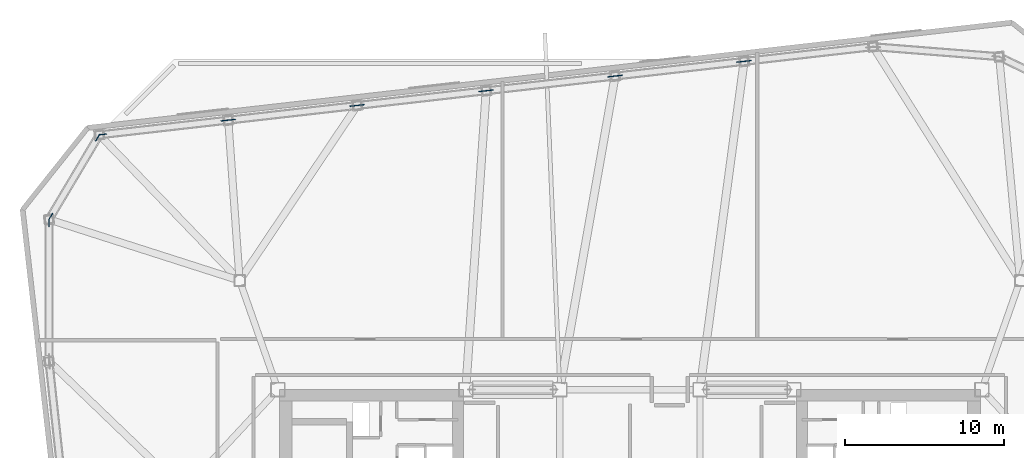
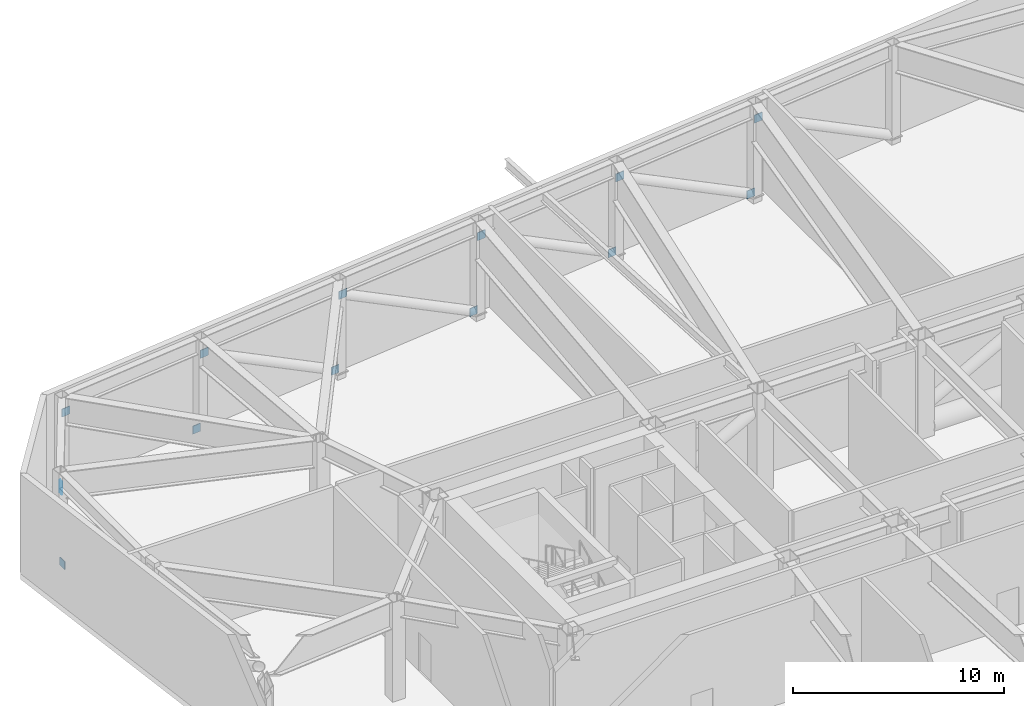
# One storey, part 11 of 13: 14 discrete accessories.
"""IFC4 building model written with IfcOpenShell, lengths in metres."""

import ifcopenshell
import ifcopenshell.guid

model = None  # the IFC model being written
_history = None  # IfcOwnerHistory: only IFC2X3 demands one
_inside = {}  # id of a spatial element -> (the spatial element, [elements in it])
_under = {}  # id of a project, library or spatial element -> (it, [spatial elements below it])
_declared = {}  # id of a project -> (the project, [libraries it declares])
_typed = {}  # id of a type object -> (the type object, [elements of that type])
_made_of = {}  # id of a material, layer set ... -> (it, [elements and type objects made of it])


def new_model(schema):
    """Start an empty IFC model of exactly this schema.

    Asked for "IFC4X3", IfcOpenShell would pick the latest addendum, in which some entities
    have other attributes; the version numbers below select the first issue.
    IFC2X3 requires an IfcOwnerHistory on every rooted entity: one is made here for all.
    """
    global model, _history
    if schema == "IFC4X3":
        model = ifcopenshell.file(schema_version=(4, 3, 0, 0))
    else:
        model = ifcopenshell.file(schema=schema)
    _inside.clear()
    _under.clear()
    _declared.clear()
    _typed.clear()
    _made_of.clear()
    _history = None
    if model.schema == "IFC2X3":
        org = make("IfcOrganization", Name="unknown")
        user = make(
            "IfcPersonAndOrganization",
            ThePerson=make("IfcPerson", FamilyName="unknown"),
            TheOrganization=org,
        )
        app = make(
            "IfcApplication",
            ApplicationDeveloper=org,
            Version="unknown",
            ApplicationFullName="unknown",
            ApplicationIdentifier="unknown",
        )
        _history = make(
            "IfcOwnerHistory",
            OwningUser=user,
            OwningApplication=app,
            ChangeAction="ADDED",
            CreationDate=0,
        )
    return model


def make(cls, **values):
    """One entity of the class cls with the attributes given. An attribute that is None is left unset."""
    return model.create_entity(
        cls, **{name: value for name, value in values.items() if value is not None}
    )


def rooted(cls, **values):
    """An entity with a GlobalId (a new one), such as an element, a storey or a relation."""
    return make(cls, GlobalId=ifcopenshell.guid.new(), OwnerHistory=_history, **values)


def si_unit(unit_type, name, prefix=None):
    """IfcSIUnit, for example si_unit("LENGTHUNIT", "METRE", prefix="MILLI")."""
    return make("IfcSIUnit", UnitType=unit_type, Prefix=prefix, Name=name)


def assignment(units):
    """IfcUnitAssignment: the units of a project."""
    return None if units is None else make("IfcUnitAssignment", Units=units)


def point(xyz):
    """IfcCartesianPoint."""
    return None if xyz is None else make("IfcCartesianPoint", Coordinates=xyz)


def direction(xyz):
    """IfcDirection."""
    return None if xyz is None else make("IfcDirection", DirectionRatios=xyz)


def frame(location, z_axis=None, x_axis=None):
    """IfcAxis2Placement3D, a coordinate frame: its origin and axes. An axis left out is left unset."""
    return make(
        "IfcAxis2Placement3D",
        Location=point(location),
        Axis=direction(z_axis),
        RefDirection=direction(x_axis),
    )


def frame_2d(location, x_axis=None):
    """IfcAxis2Placement2D, a coordinate frame in the plane: its origin and x axis."""
    return make(
        "IfcAxis2Placement2D", Location=point(location), RefDirection=direction(x_axis)
    )


def origin():
    """The frame at (0, 0, 0) with its axes left unset."""
    return frame((0.0, 0.0, 0.0))


def origin_2d():
    """The frame at (0, 0) in the plane with its x axis left unset."""
    return frame_2d((0.0, 0.0))


def place(relative_to, where):
    """IfcLocalPlacement: puts the frame where relative to a parent placement (None: the world)."""
    return make(
        "IfcLocalPlacement", PlacementRelTo=relative_to, RelativePlacement=where
    )


def context(
    kind, dimensions, precision=None, world=None, true_north=None, identifier=None
):
    """IfcGeometricRepresentationContext, for example the 3D "Model" context."""
    return make(
        "IfcGeometricRepresentationContext",
        ContextIdentifier=identifier,
        ContextType=kind,
        CoordinateSpaceDimension=dimensions,
        Precision=precision,
        WorldCoordinateSystem=world,
        TrueNorth=true_north,
    )


def subcontext(parent, identifier, kind, view, scale=None):
    """IfcGeometricRepresentationSubContext, for example "Body" below "Model"."""
    return make(
        "IfcGeometricRepresentationSubContext",
        ContextIdentifier=identifier,
        ContextType=kind,
        ParentContext=parent,
        TargetScale=scale,
        TargetView=view,
    )


def project(units=None, contexts=None):
    """IfcProject with its units and contexts."""
    return rooted(
        "IfcProject",
        Name="project",
        RepresentationContexts=contexts,
        UnitsInContext=assignment(units),
    )


def spatial(cls, under=None, at=None, **own):
    """A site, building, storey or space (cls), placed at a placement, below another one or the project."""
    s = rooted(cls, ObjectPlacement=at, **own)
    if under is not None:
        _under.setdefault(under.id(), (under, []))[1].append(s)
    return s


def profile(cls, at=None, kind="AREA", **sizes):
    """A parametric profile (cls). Its sizes go by their IFC names, for example OverallWidth=200.0."""
    return make(cls, ProfileType=kind, Position=at, **sizes)


def rectangle(**sizes):
    """IfcRectangleProfileDef."""
    return profile("IfcRectangleProfileDef", **sizes)


def extrude(swept, where, along, depth):
    """IfcExtrudedAreaSolid: the profile swept, set in the frame where, extruded along a direction by depth."""
    return make(
        "IfcExtrudedAreaSolid",
        SweptArea=swept,
        Position=where,
        ExtrudedDirection=direction(along),
        Depth=depth,
    )


def shape(context_of_items, identifier, shape_type, items):
    """IfcShapeRepresentation: the items that make up one representation, for example the "Body"."""
    return make(
        "IfcShapeRepresentation",
        ContextOfItems=context_of_items,
        RepresentationIdentifier=identifier,
        RepresentationType=shape_type,
        Items=items,
    )


def material(Name=None, Category=None):
    """IfcMaterial."""
    return make("IfcMaterial", Name=Name, Category=Category)


def made_of(thing, what):
    """Note that an element or type object is made of a material, layer set ...; save() writes the relation."""
    if what is not None:
        _made_of.setdefault(what.id(), (what, []))[1].append(thing)
    return thing


def type_object(cls, material=None, **own):
    """A type object (cls), such as IfcWallType, which elements share."""
    return made_of(rooted(cls, **own), material)


def element(
    cls,
    number,
    at=None,
    inside=None,
    cuts=None,
    type_object=None,
    material=None,
    context=None,
    identifier="Body",
    shape_type=None,
    held_by="IfcProductDefinitionShape",
    body=None,
    shapes=None,
    **own,
):
    """One element of the class cls, such as IfcWall. Its Tag is "e" and its number.

    at: its placement. inside: the storey or other place that contains it. cuts: it is an
    opening in that element (IfcRelVoidsElement). A single representation is given by context,
    identifier, shape_type and body (its items); several are given by shapes. held_by: the class
    of the entity that holds the representations. save() writes the other relations.
    """
    e = rooted(cls, Tag="e%d" % number, ObjectPlacement=at, **own)
    if body is not None:
        shapes = [shape(context, identifier, shape_type, body)]
    if shapes is not None:
        e.Representation = make(held_by, Representations=shapes)
    if inside is not None:
        _inside.setdefault(inside.id(), (inside, []))[1].append(e)
    if cuts is not None:
        rooted(
            "IfcRelVoidsElement", RelatingBuildingElement=cuts, RelatedOpeningElement=e
        )
    if type_object is not None:
        _typed.setdefault(type_object.id(), (type_object, []))[1].append(e)
    return made_of(e, material)


def aggregate(whole, parts):
    """IfcRelAggregates: a whole, such as a stair, and the parts it consists of."""
    return rooted("IfcRelAggregates", RelatingObject=whole, RelatedObjects=parts)


def save(model, path):
    """Write the relations noted so far, then the file.

    IfcRelAggregates (storeys below a building ...), IfcRelContainedInSpatialStructure (elements
    in a storey), IfcRelDefinesByType, IfcRelAssociatesMaterial and IfcRelDeclares: one each for
    every whole, place, type object, material and project.
    """
    for whole, parts in _under.values():
        aggregate(whole, parts)
    for where, things in _inside.values():
        rooted(
            "IfcRelContainedInSpatialStructure",
            RelatedElements=things,
            RelatingStructure=where,
        )
    for kind, things in _typed.values():
        rooted("IfcRelDefinesByType", RelatedObjects=things, RelatingType=kind)
    for what, things in _made_of.values():
        rooted("IfcRelAssociatesMaterial", RelatedObjects=things, RelatingMaterial=what)
    for by, libraries in _declared.values():
        rooted("IfcRelDeclares", RelatingContext=by, RelatedDefinitions=libraries)
    model.write(path)


model = new_model("IFC4")

# Units and contexts
model_context = context("Model", 3, precision=1e-05, world=origin(), true_north=direction((0.0, 1.0)))
body_context = subcontext(model_context, "Body", "Model", "MODEL_VIEW")
ifc_project = project(units=[si_unit("LENGTHUNIT", "METRE"), si_unit("AREAUNIT", "SQUARE_METRE"), si_unit("VOLUMEUNIT", "CUBIC_METRE"), si_unit("PLANEANGLEUNIT", "RADIAN"), si_unit("MASSUNIT", "GRAM", prefix="KILO")], contexts=[model_context])

# Site, building, storey
site_placement = place(None, origin())
site = spatial("IfcSite", under=ifc_project, at=site_placement, CompositionType="ELEMENT")
building_placement = place(site_placement, origin())
building = spatial("IfcBuilding", under=site, at=building_placement, Name="Tavrogorsk Clinical Tower", CompositionType="ELEMENT")
storey_placement = place(building_placement, frame((0.0, 0.0, 208.199951171875)))
storey = spatial("IfcBuildingStorey", under=building, at=storey_placement, Name="L48", CompositionType="ELEMENT", Elevation=208.199951171875)

# Discrete accessories
ifc_material = material(Name="Structural steel S440", Category="steel")
discrete_accessory_type = type_object("IfcDiscreteAccessoryType", Name="GussetPlateBracket_25", PredefinedType="BRACKET", material=ifc_material)
for number, where, z_axis, x_axis, name in (
    (1, (7.3974609375, 26.983154296875, 4.4365234375), (0.0, 0.0, 1.0), (-0.993571855677, -0.113203213768, 0.0), "L48 Brace Gusset Plate EXOBELT-L48-15-B"),
    (2, (6.947265625, 26.931884765625, 0.243408203125), (0.0, 0.0, 1.0), (-0.993571855677, -0.113203213768, 0.0), "L48 Brace Gusset Plate EXOBELT-L48-16-A"),
    (3, (-0.69873046875, 26.060791015625, 4.4365234375), (0.0, 0.0, 1.0), (-0.993571855677, -0.113203213768, 0.0), "L48 Brace Gusset Plate EXOBELT-L48-16-B"),
    (4, (-1.14892578125, 26.009521484375, 0.243408203125), (0.0, 0.0, 1.0), (-0.993571855677, -0.113203213768, 0.0), "L48 Brace Gusset Plate EXOBELT-L48-17-A"),
    (5, (-8.794921875, 25.138427734375, 4.4365234375), (0.0, 0.0, 1.0), (-0.993571855677, -0.113203213768, 0.0), "L48 Brace Gusset Plate EXOBELT-L48-17-B"),
    (6, (-9.2451171875, 25.087158203125, 0.243408203125), (0.0, 0.0, 1.0), (-0.993571855677, -0.113203213768, 0.0), "L48 Brace Gusset Plate EXOBELT-L48-18-A"),
    (7, (-16.89111328125, 24.216064453125, 4.4365234375), (0.0, 0.0, 1.0), (-0.993571855677, -0.113203213768, 0.0), "L48 Brace Gusset Plate EXOBELT-L48-18-B"),
    (8, (-17.34130859375, 24.16455078125, 0.243408203125), (0.0, 0.0, 1.0), (-0.993571855677, -0.113203213768, 0.0), "L48 Brace Gusset Plate EXOBELT-L48-19-A"),
    (9, (-24.9873046875, 23.29345703125, 4.4365234375), (0.0, 0.0, 1.0), (-0.993571855677, -0.113203213768, 0.0), "L48 Brace Gusset Plate EXOBELT-L48-19-B"),
    (10, (-25.4375, 23.2421875, 0.243408203125), (0.0, 0.0, 1.0), (-0.993571855677, -0.113203213768, 0.0), "L48 Brace Gusset Plate EXOBELT-L48-20-A"),
    (11, (-33.08349609375, 22.37109375, 4.4365234375), (0.0, 0.0, 1.0), (-0.993571855677, -0.113203213768, 0.0), "L48 Brace Gusset Plate EXOBELT-L48-20-B"),
    (12, (-33.415771484375, 22.165283203125, 0.2705078125), (0.0, 0.0, 1.0), (-0.511443073004, -0.859317160934, 0.0), "L48 Brace Gusset Plate EXOBELT-L48-21-A"),
    (13, (-36.36279296875, 17.212890625, 4.40966796875), (0.0, 0.0, 1.0), (-0.511443073004, -0.859317160934, 0.0), "L48 Brace Gusset Plate EXOBELT-L48-21-B"),
    (14, (-36.469970703125, 16.802001953125, 0.235107421875), (0.0, 0.0, 1.0), (0.0, -1.0, 0.0), "L48 Brace Gusset Plate EXOBELT-L48-22-A"),
):
    element("IfcDiscreteAccessory", number, at=place(storey_placement, frame(where, z_axis=z_axis, x_axis=x_axis)), inside=storey, type_object=discrete_accessory_type, Name=name, PredefinedType="BRACKET", context=body_context, shape_type="SweptSolid", body=[
        extrude(rectangle(XDim=0.4599609375, YDim=0.0400390625, at=origin_2d()), origin(), (0.0, 0.0, 1.0), 0.4599609375),
    ])

save(model, "model.ifc")
